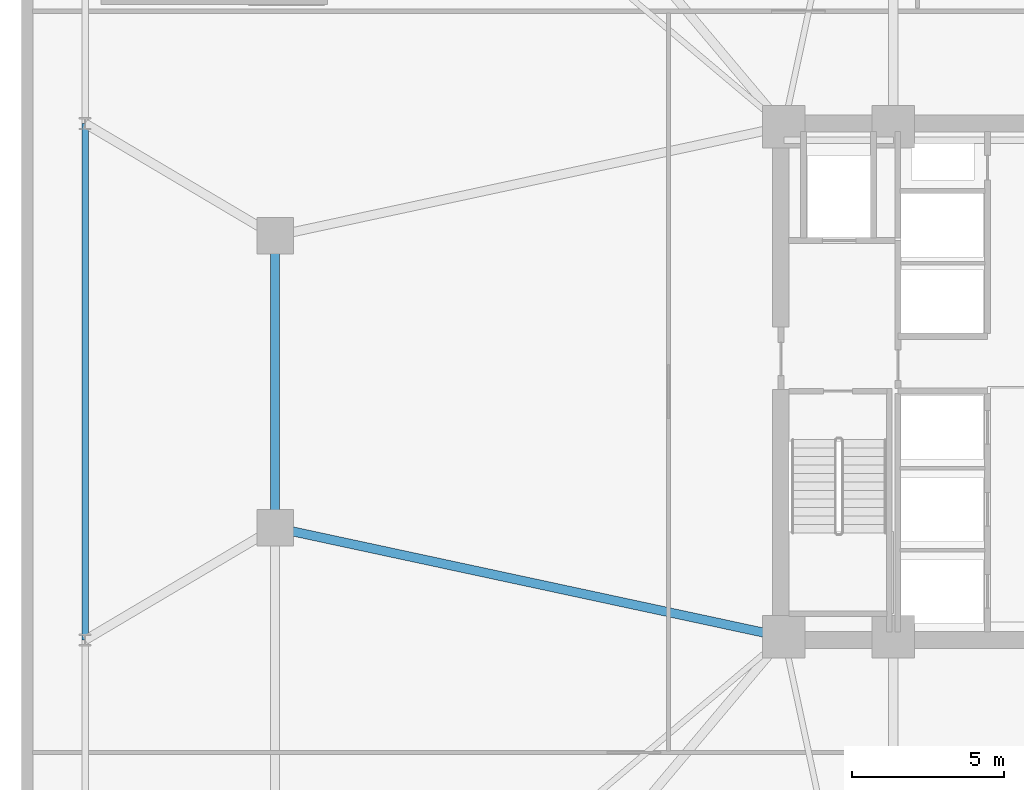
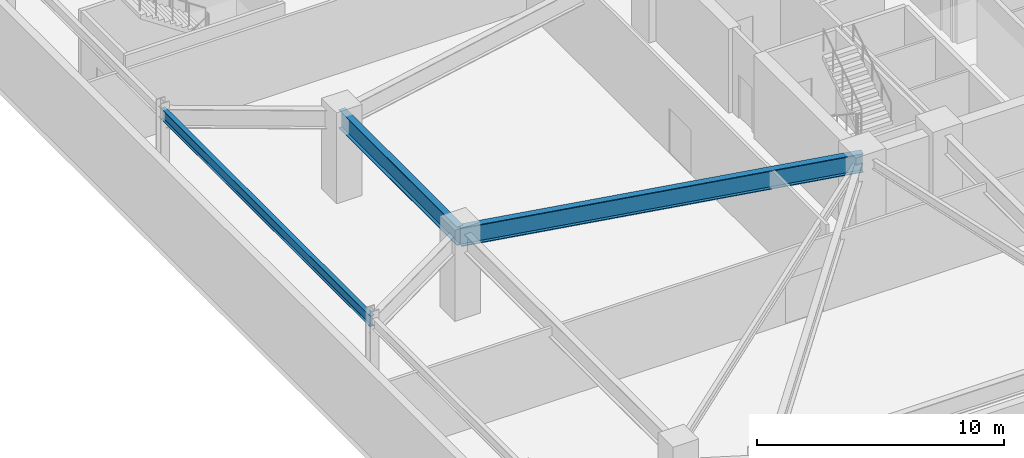
# One storey, part 4 of 21: 3 beams.
"""IFC4 building model written with IfcOpenShell, lengths in metres."""

import ifcopenshell
import ifcopenshell.guid

model = None  # the IFC model being written
_history = None  # IfcOwnerHistory: only IFC2X3 demands one
_inside = {}  # id of a spatial element -> (the spatial element, [elements in it])
_under = {}  # id of a project, library or spatial element -> (it, [spatial elements below it])
_declared = {}  # id of a project -> (the project, [libraries it declares])
_typed = {}  # id of a type object -> (the type object, [elements of that type])
_made_of = {}  # id of a material, layer set ... -> (it, [elements and type objects made of it])


def new_model(schema):
    """Start an empty IFC model of exactly this schema.

    Asked for "IFC4X3", IfcOpenShell would pick the latest addendum, in which some entities
    have other attributes; the version numbers below select the first issue.
    IFC2X3 requires an IfcOwnerHistory on every rooted entity: one is made here for all.
    """
    global model, _history
    if schema == "IFC4X3":
        model = ifcopenshell.file(schema_version=(4, 3, 0, 0))
    else:
        model = ifcopenshell.file(schema=schema)
    _inside.clear()
    _under.clear()
    _declared.clear()
    _typed.clear()
    _made_of.clear()
    _history = None
    if model.schema == "IFC2X3":
        org = make("IfcOrganization", Name="unknown")
        user = make(
            "IfcPersonAndOrganization",
            ThePerson=make("IfcPerson", FamilyName="unknown"),
            TheOrganization=org,
        )
        app = make(
            "IfcApplication",
            ApplicationDeveloper=org,
            Version="unknown",
            ApplicationFullName="unknown",
            ApplicationIdentifier="unknown",
        )
        _history = make(
            "IfcOwnerHistory",
            OwningUser=user,
            OwningApplication=app,
            ChangeAction="ADDED",
            CreationDate=0,
        )
    return model


def make(cls, **values):
    """One entity of the class cls with the attributes given. An attribute that is None is left unset."""
    return model.create_entity(
        cls, **{name: value for name, value in values.items() if value is not None}
    )


def rooted(cls, **values):
    """An entity with a GlobalId (a new one), such as an element, a storey or a relation."""
    return make(cls, GlobalId=ifcopenshell.guid.new(), OwnerHistory=_history, **values)


def si_unit(unit_type, name, prefix=None):
    """IfcSIUnit, for example si_unit("LENGTHUNIT", "METRE", prefix="MILLI")."""
    return make("IfcSIUnit", UnitType=unit_type, Prefix=prefix, Name=name)


def assignment(units):
    """IfcUnitAssignment: the units of a project."""
    return None if units is None else make("IfcUnitAssignment", Units=units)


def point(xyz):
    """IfcCartesianPoint."""
    return None if xyz is None else make("IfcCartesianPoint", Coordinates=xyz)


def direction(xyz):
    """IfcDirection."""
    return None if xyz is None else make("IfcDirection", DirectionRatios=xyz)


def frame(location, z_axis=None, x_axis=None):
    """IfcAxis2Placement3D, a coordinate frame: its origin and axes. An axis left out is left unset."""
    return make(
        "IfcAxis2Placement3D",
        Location=point(location),
        Axis=direction(z_axis),
        RefDirection=direction(x_axis),
    )


def frame_2d(location, x_axis=None):
    """IfcAxis2Placement2D, a coordinate frame in the plane: its origin and x axis."""
    return make(
        "IfcAxis2Placement2D", Location=point(location), RefDirection=direction(x_axis)
    )


def origin():
    """The frame at (0, 0, 0) with its axes left unset."""
    return frame((0.0, 0.0, 0.0))


def origin_2d():
    """The frame at (0, 0) in the plane with its x axis left unset."""
    return frame_2d((0.0, 0.0))


def place(relative_to, where):
    """IfcLocalPlacement: puts the frame where relative to a parent placement (None: the world)."""
    return make(
        "IfcLocalPlacement", PlacementRelTo=relative_to, RelativePlacement=where
    )


def context(
    kind, dimensions, precision=None, world=None, true_north=None, identifier=None
):
    """IfcGeometricRepresentationContext, for example the 3D "Model" context."""
    return make(
        "IfcGeometricRepresentationContext",
        ContextIdentifier=identifier,
        ContextType=kind,
        CoordinateSpaceDimension=dimensions,
        Precision=precision,
        WorldCoordinateSystem=world,
        TrueNorth=true_north,
    )


def subcontext(parent, identifier, kind, view, scale=None):
    """IfcGeometricRepresentationSubContext, for example "Body" below "Model"."""
    return make(
        "IfcGeometricRepresentationSubContext",
        ContextIdentifier=identifier,
        ContextType=kind,
        ParentContext=parent,
        TargetScale=scale,
        TargetView=view,
    )


def project(units=None, contexts=None):
    """IfcProject with its units and contexts."""
    return rooted(
        "IfcProject",
        Name="project",
        RepresentationContexts=contexts,
        UnitsInContext=assignment(units),
    )


def spatial(cls, under=None, at=None, **own):
    """A site, building, storey or space (cls), placed at a placement, below another one or the project."""
    s = rooted(cls, ObjectPlacement=at, **own)
    if under is not None:
        _under.setdefault(under.id(), (under, []))[1].append(s)
    return s


def profile(cls, at=None, kind="AREA", **sizes):
    """A parametric profile (cls). Its sizes go by their IFC names, for example OverallWidth=200.0."""
    return make(cls, ProfileType=kind, Position=at, **sizes)


def i_section(**sizes):
    """IfcIShapeProfileDef."""
    return profile("IfcIShapeProfileDef", **sizes)


def extrude(swept, where, along, depth):
    """IfcExtrudedAreaSolid: the profile swept, set in the frame where, extruded along a direction by depth."""
    return make(
        "IfcExtrudedAreaSolid",
        SweptArea=swept,
        Position=where,
        ExtrudedDirection=direction(along),
        Depth=depth,
    )


def shape(context_of_items, identifier, shape_type, items):
    """IfcShapeRepresentation: the items that make up one representation, for example the "Body"."""
    return make(
        "IfcShapeRepresentation",
        ContextOfItems=context_of_items,
        RepresentationIdentifier=identifier,
        RepresentationType=shape_type,
        Items=items,
    )


def material(Name=None, Category=None):
    """IfcMaterial."""
    return make("IfcMaterial", Name=Name, Category=Category)


def material_profile(
    of_material, cross_section, Name=None, Category=None, Priority=None
):
    """IfcMaterialProfile: a cross section and its material."""
    return make(
        "IfcMaterialProfile",
        Name=Name,
        Material=of_material,
        Profile=cross_section,
        Priority=Priority,
        Category=Category,
    )


def profile_set(profiles, Name=None, composite=None):
    """IfcMaterialProfileSet."""
    return make(
        "IfcMaterialProfileSet",
        Name=Name,
        MaterialProfiles=profiles,
        CompositeProfile=composite,
    )


def made_of(thing, what):
    """Note that an element or type object is made of a material, layer set ...; save() writes the relation."""
    if what is not None:
        _made_of.setdefault(what.id(), (what, []))[1].append(thing)
    return thing


def type_object(cls, material=None, **own):
    """A type object (cls), such as IfcWallType, which elements share."""
    return made_of(rooted(cls, **own), material)


def element(
    cls,
    number,
    at=None,
    inside=None,
    cuts=None,
    type_object=None,
    material=None,
    context=None,
    identifier="Body",
    shape_type=None,
    held_by="IfcProductDefinitionShape",
    body=None,
    shapes=None,
    **own,
):
    """One element of the class cls, such as IfcWall. Its Tag is "e" and its number.

    at: its placement. inside: the storey or other place that contains it. cuts: it is an
    opening in that element (IfcRelVoidsElement). A single representation is given by context,
    identifier, shape_type and body (its items); several are given by shapes. held_by: the class
    of the entity that holds the representations. save() writes the other relations.
    """
    e = rooted(cls, Tag="e%d" % number, ObjectPlacement=at, **own)
    if body is not None:
        shapes = [shape(context, identifier, shape_type, body)]
    if shapes is not None:
        e.Representation = make(held_by, Representations=shapes)
    if inside is not None:
        _inside.setdefault(inside.id(), (inside, []))[1].append(e)
    if cuts is not None:
        rooted(
            "IfcRelVoidsElement", RelatingBuildingElement=cuts, RelatedOpeningElement=e
        )
    if type_object is not None:
        _typed.setdefault(type_object.id(), (type_object, []))[1].append(e)
    return made_of(e, material)


def aggregate(whole, parts):
    """IfcRelAggregates: a whole, such as a stair, and the parts it consists of."""
    return rooted("IfcRelAggregates", RelatingObject=whole, RelatedObjects=parts)


def save(model, path):
    """Write the relations noted so far, then the file.

    IfcRelAggregates (storeys below a building ...), IfcRelContainedInSpatialStructure (elements
    in a storey), IfcRelDefinesByType, IfcRelAssociatesMaterial and IfcRelDeclares: one each for
    every whole, place, type object, material and project.
    """
    for whole, parts in _under.values():
        aggregate(whole, parts)
    for where, things in _inside.values():
        rooted(
            "IfcRelContainedInSpatialStructure",
            RelatedElements=things,
            RelatingStructure=where,
        )
    for kind, things in _typed.values():
        rooted("IfcRelDefinesByType", RelatedObjects=things, RelatingType=kind)
    for what, things in _made_of.values():
        rooted("IfcRelAssociatesMaterial", RelatedObjects=things, RelatingMaterial=what)
    for by, libraries in _declared.values():
        rooted("IfcRelDeclares", RelatingContext=by, RelatedDefinitions=libraries)
    model.write(path)


model = new_model("IFC4")

# Units and contexts
model_context = context("Model", 3, precision=1e-05, world=origin(), true_north=direction((0.0, 1.0)))
body_context = subcontext(model_context, "Body", "Model", "MODEL_VIEW")
ifc_project = project(units=[si_unit("LENGTHUNIT", "METRE"), si_unit("AREAUNIT", "SQUARE_METRE"), si_unit("VOLUMEUNIT", "CUBIC_METRE"), si_unit("PLANEANGLEUNIT", "RADIAN"), si_unit("MASSUNIT", "GRAM", prefix="KILO")], contexts=[model_context])

# Site, building, storey
site_placement = place(None, origin())
site = spatial("IfcSite", under=ifc_project, at=site_placement, CompositionType="ELEMENT")
building_placement = place(site_placement, origin())
building = spatial("IfcBuilding", under=site, at=building_placement, Name="Cairnveth Concourse Tower", CompositionType="ELEMENT")
storey_placement = place(building_placement, frame((0.0, 0.0, 14.5)))
storey = spatial("IfcBuildingStorey", under=building, at=storey_placement, Name="L03", CompositionType="ELEMENT", Elevation=14.5)

# Beams
ifc_material = material(Name="Steel Grade 350", Category="steel")
ifc_material_profile_1 = material_profile(ifc_material, i_section(OverallWidth=0.208984375, OverallDepth=0.532958984375, WebThickness=0.01025390625, FlangeThickness=0.015625, FilletRadius=0.013916015625, at=origin_2d()), Name="530UB92.4")
ifc_profile_set_1 = profile_set([ifc_material_profile_1], Name="Steel Grade 350")
beam_type_1 = type_object("IfcBeamType", Name="PODIUM EDGE SPANDREL 530UB92.4", PredefinedType="SPANDREL", material=ifc_profile_set_1)
beam_1_placement = place(storey_placement, frame((20.60009765625, 30.5, 3.883544921875), z_axis=(0.0, 1.0, 0.0), x_axis=(-1.0, 0.0, 0.0)))
element("IfcBeam", 1, at=beam_1_placement, inside=storey, type_object=beam_type_1, Name="Beam PSP-W2 L03", PredefinedType="SPANDREL", context=body_context, shape_type="SweptSolid", body=[
    extrude(i_section(OverallWidth=0.208984375, OverallDepth=0.532958984375, WebThickness=0.01025390625, FlangeThickness=0.015625, FilletRadius=0.013916015625, at=origin_2d()), origin(), (0.0, 0.0, 1.0), 17.0),
])
ifc_material_profile_2 = material_profile(ifc_material, i_section(OverallWidth=0.300048828125, OverallDepth=0.924072265625, WebThickness=0.013916015625, FlangeThickness=0.031982421875, at=origin_2d()), Name="900WB257")
ifc_profile_set_2 = profile_set([ifc_material_profile_2], Name="Steel Grade 350")
beam_type_2 = type_object("IfcBeamType", Name="PODIUM PRIMARY GIRDER 900WB257", PredefinedType="BEAM", material=ifc_profile_set_2)
beam_2_placement = place(storey_placement, frame((26.85009765625, 34.199951171875, 3.68798828125), z_axis=(0.977675861524, -0.210118799239, 0.0), x_axis=(0.210118799239, 0.977675861524, 0.0)))
element("IfcBeam", 2, at=beam_2_placement, inside=storey, type_object=beam_type_2, Name="Beam PG-W1B L03", PredefinedType="BEAM", context=body_context, shape_type="SweptSolid", body=[
    extrude(i_section(OverallWidth=0.300048828125, OverallDepth=0.924072265625, WebThickness=0.013916015625, FlangeThickness=0.031982421875, at=origin_2d()), origin(), (0.0, 0.0, 1.0), 17.132568359375),
])
beam_3_placement = place(storey_placement, frame((26.85009765625, 34.199951171875, 3.68798828125), z_axis=(0.0, 1.0, 0.0), x_axis=(-1.0, 0.0, 0.0)))
element("IfcBeam", 3, at=beam_3_placement, inside=storey, type_object=beam_type_2, Name="Beam PR-W2 L03", PredefinedType="BEAM", context=body_context, shape_type="SweptSolid", body=[
    extrude(i_section(OverallWidth=0.300048828125, OverallDepth=0.924072265625, WebThickness=0.013916015625, FlangeThickness=0.031982421875, at=origin_2d()), origin(), (0.0, 0.0, 1.0), 9.60009765625),
])

save(model, "model.ifc")
